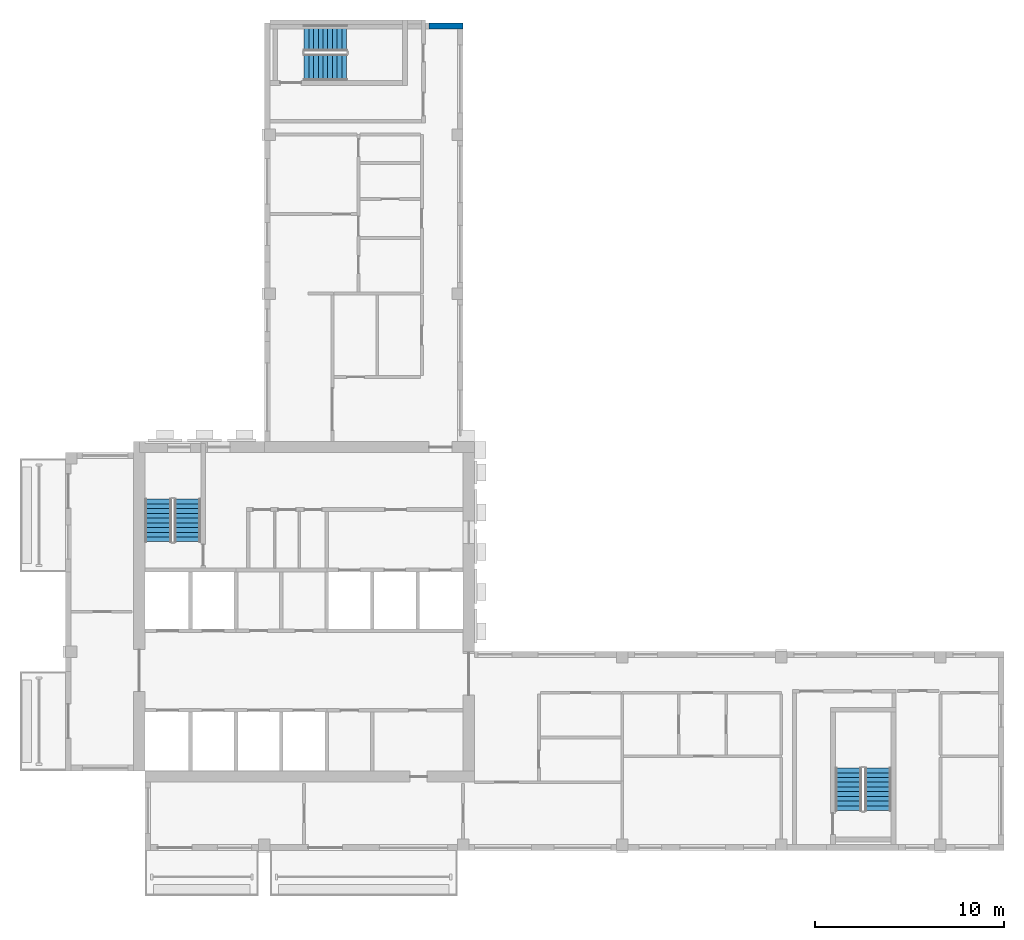
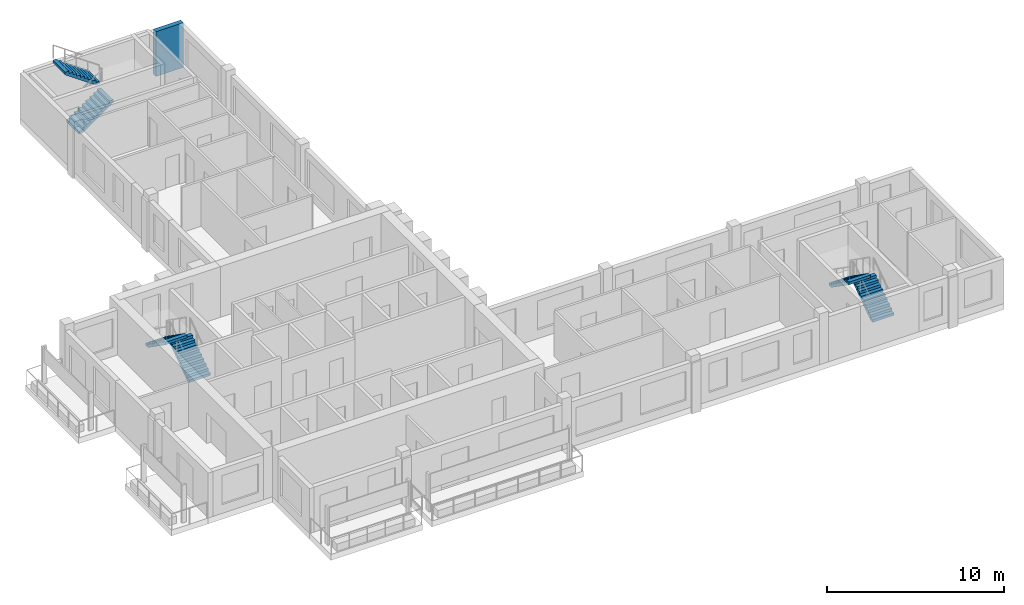
# One storey, part 6 of 10: 6 stair flights, 1 wall, 3 elements without a shape of their own.
"""IFC4 building model written with IfcOpenShell, lengths in metres."""

from ifc_helpers import new_model, si_unit, direction, frame, frame_2d, origin, place, context, subcontext, project, spatial, polyline, rectangle, outline, extrude, source, transform, mapped, material, layer, layer_set, type_object, element, aggregate, save


model = new_model("IFC4")

# Units and contexts
model_context = context("Model", 3, precision=1e-05, world=origin(), true_north=direction((0.0, 1.0)))
body_context = subcontext(model_context, "Body", "Model", "MODEL_VIEW")
ifc_project = project(units=[si_unit("LENGTHUNIT", "METRE"), si_unit("AREAUNIT", "SQUARE_METRE"), si_unit("VOLUMEUNIT", "CUBIC_METRE"), si_unit("PLANEANGLEUNIT", "RADIAN"), si_unit("MASSUNIT", "GRAM", prefix="KILO")], contexts=[model_context])

# Site, building, storey
site_placement = place(None, origin())
site = spatial("IfcSite", under=ifc_project, at=site_placement, CompositionType="ELEMENT")
building_placement = place(site_placement, origin())
building = spatial("IfcBuilding", under=site, at=building_placement, Name="Aurelian Terraces", CompositionType="ELEMENT")
storey_placement = place(building_placement, frame((0.0, 0.0, 361.5)))
storey = spatial("IfcBuildingStorey", under=building, at=storey_placement, Name="L86", CompositionType="ELEMENT", Elevation=361.5)

# Wall
ifc_material_1 = material(Name="Terracotta rainscreen cladding", Category="masonry")
ifc_layer = layer(ifc_material_1, 0.3)
ifc_layer_set = layer_set([ifc_layer], Name="EW-300")
wall_type = type_object("IfcWallType", Name="EW-300", PredefinedType="STANDARD", material=ifc_layer_set)
shared_shape_1 = source(origin(), body_context, "Body", "SweptSolid", [
    extrude(rectangle(XDim=1.8, YDim=0.3, at=frame_2d((0.9, 0.0))), origin(), (0.0, 0.0, 1.0), 3.1),
])
wall_placement = place(storey_placement, frame((21.0, 43.53, 0.0), z_axis=(0.0, 0.0, 1.0), x_axis=(-1.0, 0.0, 0.0)))
element("IfcWall", 1, at=wall_placement, inside=storey, type_object=wall_type, Name="External wall L86 F05.13", PredefinedType="STANDARD", context=body_context, shape_type="MappedRepresentation", body=[
    mapped(shared_shape_1, transform((0.0, 0.0, 0.0), scale=1.0)),
])

# Stair, stair flights
ifc_material_2 = material(Name="Concrete fc' 40 MPa", Category="concrete")
stair_type = type_object("IfcStairType", Name="Stair 1400", PredefinedType="HALF_TURN_STAIR", material=ifc_material_2)
stair_1_placement = place(storey_placement, origin())
stair_1 = element("IfcStair", 2, at=stair_1_placement, inside=storey, type_object=stair_type, Name="L86 S1", PredefinedType="HALF_TURN_STAIR")
stair_flight_type = type_object("IfcStairFlightType", Name="Stair flight 1400", PredefinedType="STRAIGHT", material=ifc_material_2)
shared_shape_2 = source(origin(), body_context, "Body", "SweptSolid", [
    extrude(outline(polyline([(0.0, 0.0), (0.0, 0.175), (0.25, 0.175), (0.25, 0.35), (0.5, 0.35), (0.5, 0.525), (0.75, 0.525), (0.75, 0.7), (1.0, 0.7), (1.0, 0.875), (1.25, 0.875), (1.25, 1.05), (1.5, 1.05), (1.5, 1.225), (1.75, 1.225), (1.75, 1.4), (2.0, 1.4), (2.0, 1.575), (2.25, 1.575), (2.25, 1.75), (2.25, 1.3919), (0.2616, 0.0), (0.0, 0.0)])), frame((0.0, 0.7, 0.0), z_axis=(0.0, -1.0, 0.0), x_axis=(1.0, 0.0, 0.0)), (0.0, 0.0, 1.0), 1.4),
])
stair_flight_1_placement = place(storey_placement, frame((6.45, 16.3, 2e-08), z_axis=(0.0, 0.0, 1.0), x_axis=(0.0, 1.0, 0.0)))
stair_flight_1 = element("IfcStairFlight", 3, at=stair_flight_1_placement, type_object=stair_flight_type, Name="S1 flight 1", NumberOfRisers=10, NumberOfTreads=9, PredefinedType="STRAIGHT", RiserHeight=0.175, TreadLength=0.25, context=body_context, shape_type="MappedRepresentation", body=[
    mapped(shared_shape_2, transform((0.0, 0.0, 0.0), scale=1.0)),
])
stair_flight_2_placement = place(storey_placement, frame((4.9, 18.55, 1.75000002), z_axis=(0.0, 0.0, 1.0), x_axis=(0.0, -1.0, 0.0)))
stair_flight_2 = element("IfcStairFlight", 4, at=stair_flight_2_placement, type_object=stair_flight_type, Name="S1 flight 2", NumberOfRisers=10, NumberOfTreads=9, PredefinedType="STRAIGHT", RiserHeight=0.175, TreadLength=0.25, context=body_context, shape_type="MappedRepresentation", body=[
    mapped(shared_shape_2, transform((0.0, 0.0, 0.0), scale=1.0)),
])
aggregate(stair_1, [stair_flight_1, stair_flight_2])

stair_2_placement = place(storey_placement, origin())
stair_2 = element("IfcStair", 5, at=stair_2_placement, inside=storey, type_object=stair_type, Name="L86 S2", PredefinedType="HALF_TURN_STAIR")
stair_flight_3_placement = place(storey_placement, frame((42.9, 2.1, 2e-08), z_axis=(0.0, 0.0, 1.0), x_axis=(0.0, 1.0, 0.0)))
stair_flight_3 = element("IfcStairFlight", 6, at=stair_flight_3_placement, type_object=stair_flight_type, Name="S2 flight 1", NumberOfRisers=10, NumberOfTreads=9, PredefinedType="STRAIGHT", RiserHeight=0.175, TreadLength=0.25, context=body_context, shape_type="MappedRepresentation", body=[
    mapped(shared_shape_2, transform((0.0, 0.0, 0.0), scale=1.0)),
])
stair_flight_4_placement = place(storey_placement, frame((41.35, 4.35, 1.75000002), z_axis=(0.0, 0.0, 1.0), x_axis=(0.0, -1.0, 0.0)))
stair_flight_4 = element("IfcStairFlight", 7, at=stair_flight_4_placement, type_object=stair_flight_type, Name="S2 flight 2", NumberOfRisers=10, NumberOfTreads=9, PredefinedType="STRAIGHT", RiserHeight=0.175, TreadLength=0.25, context=body_context, shape_type="MappedRepresentation", body=[
    mapped(shared_shape_2, transform((0.0, 0.0, 0.0), scale=1.0)),
])
aggregate(stair_2, [stair_flight_3, stair_flight_4])

stair_3_placement = place(storey_placement, origin())
stair_3 = element("IfcStair", 8, at=stair_3_placement, inside=storey, type_object=stair_type, Name="L86 S3U", PredefinedType="HALF_TURN_STAIR")
stair_flight_5_placement = place(storey_placement, frame((12.6, 41.35, 2e-08), z_axis=(0.0, 0.0, 1.0), x_axis=(1.0, 0.0, 0.0)))
stair_flight_5 = element("IfcStairFlight", 9, at=stair_flight_5_placement, type_object=stair_flight_type, Name="S3U flight 1", NumberOfRisers=10, NumberOfTreads=9, PredefinedType="STRAIGHT", RiserHeight=0.175, TreadLength=0.25, context=body_context, shape_type="MappedRepresentation", body=[
    mapped(shared_shape_2, transform((0.0, 0.0, 0.0), scale=1.0)),
])
stair_flight_6_placement = place(storey_placement, frame((14.85, 42.9, 1.75000002), z_axis=(0.0, 0.0, 1.0), x_axis=(-1.0, 0.0, 0.0)))
stair_flight_6 = element("IfcStairFlight", 10, at=stair_flight_6_placement, type_object=stair_flight_type, Name="S3U flight 2", NumberOfRisers=10, NumberOfTreads=9, PredefinedType="STRAIGHT", RiserHeight=0.175, TreadLength=0.25, context=body_context, shape_type="MappedRepresentation", body=[
    mapped(shared_shape_2, transform((0.0, 0.0, 0.0), scale=1.0)),
])
aggregate(stair_3, [stair_flight_5, stair_flight_6])

save(model, "model.ifc")
